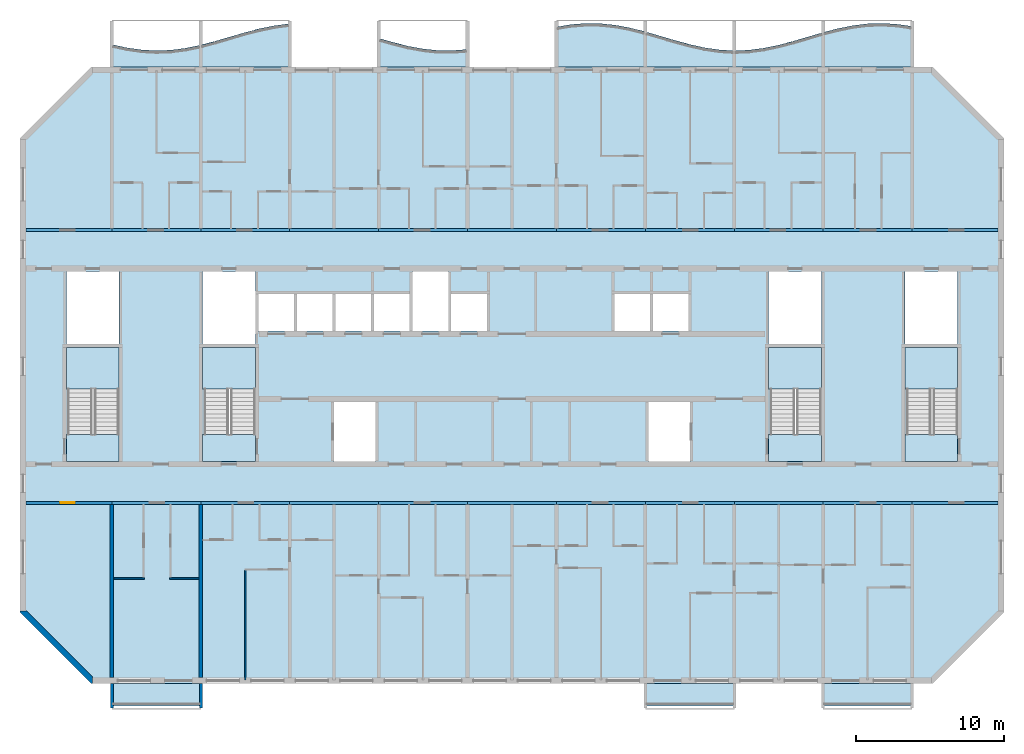
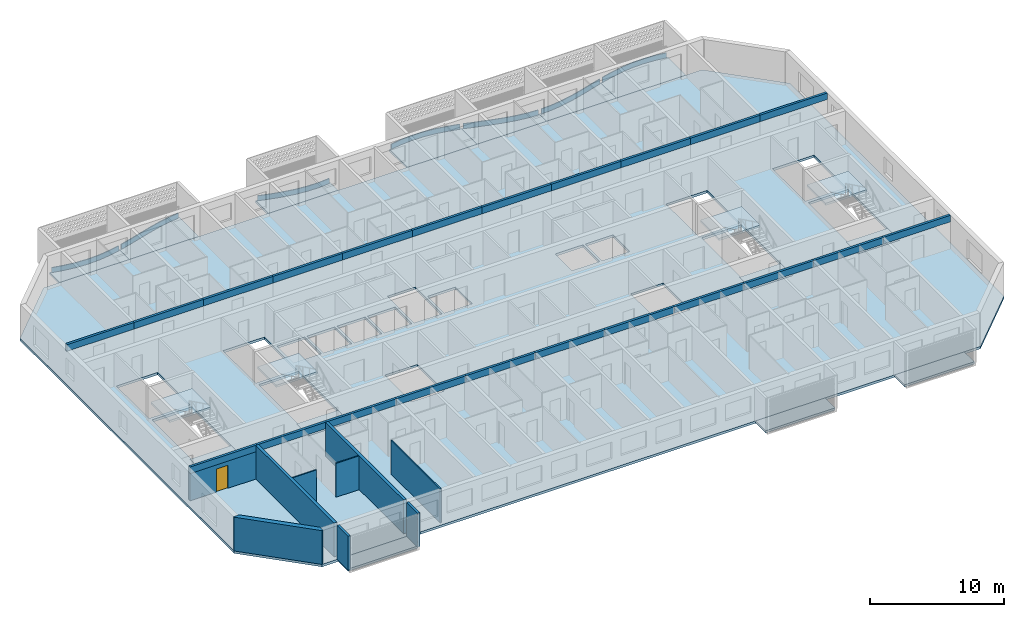
# One storey, part 1 of 28: 22 beams, 19 slabs, 9 walls, 7 plates, 1 door, 1 opening, 4 elements without a shape of their own.
"""IFC4 building model written with IfcOpenShell, lengths in metres."""

from ifc_helpers import new_model, si_unit, direction, frame, frame_2d, origin, origin_2d, place, context, subcontext, project, spatial, polyline, rectangle, outline, extrude, source, transform, mapped, material, layer, layer_set, material_profile, profile_set, type_object, element, fill, aggregate, save


model = new_model("IFC4")

# Units and contexts
model_context = context("Model", 3, precision=1e-05, world=origin(), true_north=direction((0.0, 1.0)))
body_context = subcontext(model_context, "Body", "Model", "MODEL_VIEW")
ifc_project = project(units=[si_unit("LENGTHUNIT", "METRE"), si_unit("AREAUNIT", "SQUARE_METRE"), si_unit("VOLUMEUNIT", "CUBIC_METRE"), si_unit("PLANEANGLEUNIT", "RADIAN"), si_unit("MASSUNIT", "GRAM", prefix="KILO")], contexts=[model_context])

# Site, building, storey
site_placement = place(None, origin())
site = spatial("IfcSite", under=ifc_project, at=site_placement, CompositionType="ELEMENT")
building_placement = place(site_placement, origin())
building = spatial("IfcBuilding", under=site, at=building_placement, Name="Poui Terraces", CompositionType="ELEMENT")
storey_placement = place(building_placement, frame((0.0, 0.0, 188.39990234375)))
storey = spatial("IfcBuildingStorey", under=building, at=storey_placement, Name="L52", CompositionType="ELEMENT", Elevation=188.39990234375)

# Beams
ifc_material_1 = material(Name="Concrete 50 MPa", Category="concrete")
ifc_material_profile = material_profile(ifc_material_1, rectangle(XDim=0.199951171875, YDim=0.60009765625, at=origin_2d()), Name="RC 200x600")
ifc_profile_set = profile_set([ifc_material_profile], Name="Concrete 50 MPa")
beam_type = type_object("IfcBeamType", Name="COUPLING BEAM 200x600 50MPa", PredefinedType="BEAM", material=ifc_profile_set)
shared_shape_1 = source(origin(), body_context, "Body", "SweptSolid", [
    extrude(rectangle(XDim=0.199951171875, YDim=0.60009765625, at=origin_2d()), origin(), (0.0, 0.0, 1.0), 5.800048828125),
])
for number, where, z_axis, x_axis, name in (
    (1, (18.199951171875, 12.0, 2.780029296875), (1.0, 0.0, 0.0), (0.0, 1.0, 0.0), "COUPLING BEAM LINE B BAY 1"),
    (2, (78.0, 12.0, 2.780029296875), (1.0, 0.0, 0.0), (0.0, 1.0, 0.0), "COUPLING BEAM LINE B BAY 11"),
    (3, (18.199951171875, 30.39990234375, 2.780029296875), (1.0, 0.0, 0.0), (0.0, 1.0, 0.0), "COUPLING BEAM LINE E BAY 1"),
    (4, (78.0, 30.39990234375, 2.780029296875), (1.0, 0.0, 0.0), (0.0, 1.0, 0.0), "COUPLING BEAM LINE E BAY 11"),
):
    element("IfcBeam", number, at=place(storey_placement, frame(where, z_axis=z_axis, x_axis=x_axis)), inside=storey, type_object=beam_type, Name=name, PredefinedType="BEAM", context=body_context, shape_type="MappedRepresentation", body=[
        mapped(shared_shape_1, transform((0.0, 0.0, 0.0))),
    ])
shared_shape_2 = source(origin(), body_context, "Body", "SweptSolid", [
    extrude(rectangle(XDim=0.199951171875, YDim=0.60009765625, at=origin_2d()), origin(), (0.0, 0.0, 1.0), 6.0),
])
for number, where, z_axis, x_axis, name in (
    (5, (24.0, 12.0, 2.780029296875), (1.0, 0.0, 0.0), (0.0, 1.0, 0.0), "COUPLING BEAM LINE B BAY 2"),
    (6, (30.0, 12.0, 2.780029296875), (1.0, 0.0, 0.0), (0.0, 1.0, 0.0), "COUPLING BEAM LINE B BAY 3"),
    (7, (36.0, 12.0, 2.780029296875), (1.0, 0.0, 0.0), (0.0, 1.0, 0.0), "COUPLING BEAM LINE B BAY 4"),
    (8, (42.0, 12.0, 2.780029296875), (1.0, 0.0, 0.0), (0.0, 1.0, 0.0), "COUPLING BEAM LINE B BAY 5"),
    (9, (48.0, 12.0, 2.780029296875), (1.0, 0.0, 0.0), (0.0, 1.0, 0.0), "COUPLING BEAM LINE B BAY 6"),
    (10, (54.0, 12.0, 2.780029296875), (1.0, 0.0, 0.0), (0.0, 1.0, 0.0), "COUPLING BEAM LINE B BAY 7"),
    (11, (60.0, 12.0, 2.780029296875), (1.0, 0.0, 0.0), (0.0, 1.0, 0.0), "COUPLING BEAM LINE B BAY 8"),
    (12, (66.0, 12.0, 2.780029296875), (1.0, 0.0, 0.0), (0.0, 1.0, 0.0), "COUPLING BEAM LINE B BAY 9"),
    (13, (72.0, 12.0, 2.780029296875), (1.0, 0.0, 0.0), (0.0, 1.0, 0.0), "COUPLING BEAM LINE B BAY 10"),
    (14, (24.0, 30.39990234375, 2.780029296875), (1.0, 0.0, 0.0), (0.0, 1.0, 0.0), "COUPLING BEAM LINE E BAY 2"),
    (15, (30.0, 30.39990234375, 2.780029296875), (1.0, 0.0, 0.0), (0.0, 1.0, 0.0), "COUPLING BEAM LINE E BAY 3"),
    (16, (36.0, 30.39990234375, 2.780029296875), (1.0, 0.0, 0.0), (0.0, 1.0, 0.0), "COUPLING BEAM LINE E BAY 4"),
    (17, (42.0, 30.39990234375, 2.780029296875), (1.0, 0.0, 0.0), (0.0, 1.0, 0.0), "COUPLING BEAM LINE E BAY 5"),
    (18, (48.0, 30.39990234375, 2.780029296875), (1.0, 0.0, 0.0), (0.0, 1.0, 0.0), "COUPLING BEAM LINE E BAY 6"),
    (19, (54.0, 30.39990234375, 2.780029296875), (1.0, 0.0, 0.0), (0.0, 1.0, 0.0), "COUPLING BEAM LINE E BAY 7"),
    (20, (60.0, 30.39990234375, 2.780029296875), (1.0, 0.0, 0.0), (0.0, 1.0, 0.0), "COUPLING BEAM LINE E BAY 8"),
    (21, (66.0, 30.39990234375, 2.780029296875), (1.0, 0.0, 0.0), (0.0, 1.0, 0.0), "COUPLING BEAM LINE E BAY 9"),
    (22, (72.0, 30.39990234375, 2.780029296875), (1.0, 0.0, 0.0), (0.0, 1.0, 0.0), "COUPLING BEAM LINE E BAY 10"),
):
    element("IfcBeam", number, at=place(storey_placement, frame(where, z_axis=z_axis, x_axis=x_axis)), inside=storey, type_object=beam_type, Name=name, PredefinedType="BEAM", context=body_context, shape_type="MappedRepresentation", body=[
        mapped(shared_shape_2, transform((0.0, 0.0, 0.0))),
    ])

# Slabs
ifc_material_2 = material(Name="Precast concrete 40 MPa", Category="concrete")
ifc_layer_1 = layer(ifc_material_2, 0.199951171875)
ifc_layer_set_1 = layer_set([ifc_layer_1], Name="Precast concrete 40 MPa")
slab_type_1 = type_object("IfcSlabType", Name="BALCONY SLAB 200", PredefinedType="FLOOR", material=ifc_layer_set_1)
slab_1_placement = place(storey_placement, frame((0.0, 0.0, -0.199951171875)))
element("IfcSlab", 23, at=slab_1_placement, inside=storey, type_object=slab_type_1, Name="BALCONY SLAB", PredefinedType="FLOOR", context=body_context, shape_type="SweptSolid", body=[
    extrude(outline(polyline([(24.0, 41.39990234375), (30.0, 41.39990234375), (30.0, 42.87939453125), (29.0, 42.6708984375), (28.0, 42.5400390625), (27.0, 42.500244140625), (26.0, 42.555908203125), (25.0, 42.70068359375), (24.0, 42.920166015625), (24.0, 41.39990234375)])), origin(), (0.0, 0.0, 1.0), 0.199951171875),
])
slab_2_placement = place(storey_placement, frame((0.0, 0.0, -0.199951171875)))
element("IfcSlab", 24, at=slab_2_placement, inside=storey, type_object=slab_type_1, Name="BALCONY SLAB", PredefinedType="FLOOR", context=body_context, shape_type="SweptSolid", body=[
    extrude(outline(polyline([(30.0, 41.39990234375), (36.0, 41.39990234375), (36.0, 44.31689453125), (35.0, 44.193115234375), (34.0, 43.990478515625), (33.0, 43.729736328125), (32.0, 43.4375), (31.0, 43.143798828125), (30.0, 42.87939453125), (30.0, 41.39990234375)])), origin(), (0.0, 0.0, 1.0), 0.199951171875),
])
slab_3_placement = place(storey_placement, frame((0.0, 0.0, -0.199951171875)))
element("IfcSlab", 25, at=slab_3_placement, inside=storey, type_object=slab_type_1, Name="BALCONY SLAB", PredefinedType="FLOOR", context=body_context, shape_type="SweptSolid", body=[
    extrude(outline(polyline([(42.0, 41.39990234375), (48.0, 41.39990234375), (48.0, 42.5947265625), (47.0, 42.50830078125), (46.0, 42.516357421875), (45.0, 42.617919921875), (44.0, 42.802490234375), (43.0, 43.051025390625), (42.0, 43.338134765625), (42.0, 41.39990234375)])), origin(), (0.0, 0.0, 1.0), 0.199951171875),
])
slab_4_placement = place(storey_placement, frame((0.0, 0.0, -0.199951171875)))
element("IfcSlab", 26, at=slab_4_placement, inside=storey, type_object=slab_type_1, Name="BALCONY SLAB", PredefinedType="FLOOR", context=body_context, shape_type="SweptSolid", body=[
    extrude(outline(polyline([(54.0, 41.39990234375), (60.0, 41.39990234375), (60.0, 43.776123046875), (59.0, 44.029052734375), (58.0, 44.2197265625), (57.0, 44.32861328125), (56.0, 44.3447265625), (55.0, 44.265869140625), (54.0, 44.1005859375), (54.0, 41.39990234375)])), origin(), (0.0, 0.0, 1.0), 0.199951171875),
])
slab_5_placement = place(storey_placement, frame((0.0, 0.0, -0.199951171875)))
element("IfcSlab", 27, at=slab_5_placement, inside=storey, type_object=slab_type_1, Name="BALCONY SLAB", PredefinedType="FLOOR", context=body_context, shape_type="SweptSolid", body=[
    extrude(outline(polyline([(60.0, 41.39990234375), (66.0, 41.39990234375), (66.0, 42.500244140625), (65.0, 42.555908203125), (64.0, 42.70068359375), (63.0, 42.920166015625), (62.0, 43.191650390625), (61.0, 43.487060546875), (60.0, 43.776123046875), (60.0, 41.39990234375)])), origin(), (0.0, 0.0, 1.0), 0.199951171875),
])
slab_6_placement = place(storey_placement, frame((0.0, 0.0, -0.199951171875)))
element("IfcSlab", 28, at=slab_6_placement, inside=storey, type_object=slab_type_1, Name="BALCONY SLAB", PredefinedType="FLOOR", context=body_context, shape_type="SweptSolid", body=[
    extrude(outline(polyline([(66.0, 41.39990234375), (72.0, 41.39990234375), (72.0, 43.729736328125), (71.0, 43.4375), (70.0, 43.143798828125), (69.0, 42.87939453125), (68.0, 42.6708984375), (67.0, 42.5400390625), (66.0, 42.500244140625), (66.0, 41.39990234375)])), origin(), (0.0, 0.0, 1.0), 0.199951171875),
])
slab_7_placement = place(storey_placement, frame((0.0, 0.0, -0.199951171875)))
element("IfcSlab", 29, at=slab_7_placement, inside=storey, type_object=slab_type_1, Name="BALCONY SLAB", PredefinedType="FLOOR", context=body_context, shape_type="SweptSolid", body=[
    extrude(outline(polyline([(72.0, 41.39990234375), (78.0, 41.39990234375), (78.0, 44.133544921875), (77.0, 44.285400390625), (76.0, 44.3486328125), (75.0, 44.31689453125), (74.0, 44.193115234375), (73.0, 43.990478515625), (72.0, 43.729736328125), (72.0, 41.39990234375)])), origin(), (0.0, 0.0, 1.0), 0.199951171875),
])

# Stair, slabs
stair_type = type_object("IfcStairType", Name="EXIT STAIR 1650 50 MPA", PredefinedType="HALF_TURN_STAIR", material=ifc_material_1)
stair_1_placement = place(storey_placement, origin())
stair_1 = element("IfcStair", 30, at=stair_1_placement, inside=storey, type_object=stair_type, Name="L52 CORE STAIR EAST", PredefinedType="HALF_TURN_STAIR")
ifc_layer_2 = layer(ifc_material_1, 0.199951171875)
ifc_layer_set_2 = layer_set([ifc_layer_2], Name="Concrete 50 MPa")
slab_type_2 = type_object("IfcSlabType", Name="STAIR LANDING 200 50 MPA", PredefinedType="LANDING", material=ifc_layer_set_2)
slab_8_placement = place(storey_placement, frame((0.0, 0.0, 1.449951171875)))
slab_8 = element("IfcSlab", 31, at=slab_8_placement, type_object=slab_type_2, Name="ST-CE landing 1", PredefinedType="LANDING", context=body_context, shape_type="SweptSolid", body=[
    extrude(outline(polyline([(68.324951171875, 19.679931640625), (71.875, 19.679931640625), (71.875, 22.47509765625), (68.324951171875, 22.47509765625), (68.324951171875, 19.679931640625)])), origin(), (0.0, 0.0, 1.0), 0.2001953125),
])
slab_9_placement = place(storey_placement, frame((0.0, 0.0, -0.199951171875)))
slab_9 = element("IfcSlab", 32, at=slab_9_placement, type_object=slab_type_2, Name="ST-CE landing 2", PredefinedType="LANDING", context=body_context, shape_type="SweptSolid", body=[
    extrude(outline(polyline([(68.324951171875, 14.800048828125), (71.875, 14.800048828125), (71.875, 16.60009765625), (68.324951171875, 16.60009765625), (68.324951171875, 14.800048828125)])), origin(), (0.0, 0.0, 1.0), 0.199951171875),
])
aggregate(stair_1, [slab_8, slab_9])

stair_2_placement = place(storey_placement, origin())
stair_2 = element("IfcStair", 33, at=stair_2_placement, inside=storey, type_object=stair_type, Name="L52 CORE STAIR WEST", PredefinedType="HALF_TURN_STAIR")
slab_10_placement = place(storey_placement, frame((0.0, 0.0, 1.449951171875)))
slab_10 = element("IfcSlab", 34, at=slab_10_placement, type_object=slab_type_2, Name="ST-CW landing 1", PredefinedType="LANDING", context=body_context, shape_type="SweptSolid", body=[
    extrude(outline(polyline([(30.125, 19.679931640625), (33.675048828125, 19.679931640625), (33.675048828125, 22.47509765625), (30.125, 22.47509765625), (30.125, 19.679931640625)])), origin(), (0.0, 0.0, 1.0), 0.2001953125),
])
slab_11_placement = place(storey_placement, frame((0.0, 0.0, -0.199951171875)))
slab_11 = element("IfcSlab", 35, at=slab_11_placement, type_object=slab_type_2, Name="ST-CW landing 2", PredefinedType="LANDING", context=body_context, shape_type="SweptSolid", body=[
    extrude(outline(polyline([(30.125, 14.800048828125), (33.675048828125, 14.800048828125), (33.675048828125, 16.60009765625), (30.125, 16.60009765625), (30.125, 14.800048828125)])), origin(), (0.0, 0.0, 1.0), 0.199951171875),
])
aggregate(stair_2, [slab_10, slab_11])

stair_3_placement = place(storey_placement, origin())
stair_3 = element("IfcStair", 36, at=stair_3_placement, inside=storey, type_object=stair_type, Name="L52 TIP STAIR EAST", PredefinedType="HALF_TURN_STAIR")
slab_12_placement = place(storey_placement, frame((0.0, 0.0, 1.449951171875)))
slab_12 = element("IfcSlab", 37, at=slab_12_placement, type_object=slab_type_2, Name="ST-E landing 1", PredefinedType="LANDING", context=body_context, shape_type="SweptSolid", body=[
    extrude(outline(polyline([(77.52490234375, 19.679931640625), (81.074951171875, 19.679931640625), (81.074951171875, 22.47509765625), (77.52490234375, 22.47509765625), (77.52490234375, 19.679931640625)])), origin(), (0.0, 0.0, 1.0), 0.2001953125),
])
slab_13_placement = place(storey_placement, frame((0.0, 0.0, -0.199951171875)))
slab_13 = element("IfcSlab", 38, at=slab_13_placement, type_object=slab_type_2, Name="ST-E landing 2", PredefinedType="LANDING", context=body_context, shape_type="SweptSolid", body=[
    extrude(outline(polyline([(77.52490234375, 14.800048828125), (81.074951171875, 14.800048828125), (81.074951171875, 16.60009765625), (77.52490234375, 16.60009765625), (77.52490234375, 14.800048828125)])), origin(), (0.0, 0.0, 1.0), 0.199951171875),
])
aggregate(stair_3, [slab_12, slab_13])

stair_4_placement = place(storey_placement, origin())
stair_4 = element("IfcStair", 39, at=stair_4_placement, inside=storey, type_object=stair_type, Name="L52 TIP STAIR WEST", PredefinedType="HALF_TURN_STAIR")
slab_14_placement = place(storey_placement, frame((0.0, 0.0, 1.449951171875)))
slab_14 = element("IfcSlab", 40, at=slab_14_placement, type_object=slab_type_2, Name="ST-W landing 1", PredefinedType="LANDING", context=body_context, shape_type="SweptSolid", body=[
    extrude(outline(polyline([(20.925048828125, 19.679931640625), (24.47509765625, 19.679931640625), (24.47509765625, 22.47509765625), (20.925048828125, 22.47509765625), (20.925048828125, 19.679931640625)])), origin(), (0.0, 0.0, 1.0), 0.2001953125),
])
slab_15_placement = place(storey_placement, frame((0.0, 0.0, -0.199951171875)))
slab_15 = element("IfcSlab", 41, at=slab_15_placement, type_object=slab_type_2, Name="ST-W landing 2", PredefinedType="LANDING", context=body_context, shape_type="SweptSolid", body=[
    extrude(outline(polyline([(20.925048828125, 14.800048828125), (24.47509765625, 14.800048828125), (24.47509765625, 16.60009765625), (20.925048828125, 16.60009765625), (20.925048828125, 14.800048828125)])), origin(), (0.0, 0.0, 1.0), 0.199951171875),
])
aggregate(stair_4, [slab_14, slab_15])

# Plates
ifc_layer_3 = layer(ifc_material_2, 0.080078125)
ifc_layer_set_3 = layer_set([ifc_layer_3], Name="Precast concrete 40 MPa")
plate_type = type_object("IfcPlateType", Name="SUNSHADE UPSTAND 80", PredefinedType="SHEET", material=ifc_layer_set_3)
plate_1_placement = place(storey_placement, origin())
element("IfcPlate", 42, at=plate_1_placement, inside=storey, type_object=plate_type, Name="SUNSHADE UPSTAND", PredefinedType="SHEET", context=body_context, shape_type="SweptSolid", body=[
    extrude(outline(polyline([(25.007080078125, 42.695068359375), (24.13330078125, 42.883544921875), (24.11669921875, 42.805419921875), (24.992919921875, 42.6162109375), (25.99609375, 42.470947265625), (26.999755859375, 42.415283203125), (28.00341796875, 42.455078125), (29.006591796875, 42.58642578125), (29.883056640625, 42.765380859375), (29.866943359375, 42.843994140625), (28.993408203125, 42.665283203125), (27.99658203125, 42.534912109375), (27.000244140625, 42.495361328125), (26.00390625, 42.550537109375), (25.007080078125, 42.695068359375)])), origin(), (0.0, 0.0, 1.0), 0.4501953125),
])
plate_2_placement = place(storey_placement, origin())
element("IfcPlate", 43, at=plate_2_placement, inside=storey, type_object=plate_type, Name="SUNSHADE UPSTAND", PredefinedType="SHEET", context=body_context, shape_type="SweptSolid", body=[
    extrude(outline(polyline([(30.9892578125, 43.137451171875), (30.11474609375, 42.9033203125), (30.13525390625, 42.826171875), (31.0107421875, 43.060302734375), (32.01123046875, 43.35400390625), (33.0107421875, 43.64599609375), (34.009033203125, 43.906494140625), (35.006591796875, 44.10888671875), (35.880126953125, 44.2216796875), (35.869873046875, 44.30078125), (35.8427734375, 44.29736328125), (34.993408203125, 44.187744140625), (33.990966796875, 43.984619140625), (32.9892578125, 43.72314453125), (31.98876953125, 43.430908203125), (30.9892578125, 43.137451171875)])), origin(), (0.0, 0.0, 1.0), 0.4501953125),
])
plate_3_placement = place(storey_placement, origin())
element("IfcPlate", 44, at=plate_3_placement, inside=storey, type_object=plate_type, Name="SUNSHADE UPSTAND", PredefinedType="SHEET", context=body_context, shape_type="SweptSolid", body=[
    extrude(outline(polyline([(43.01025390625, 43.044677734375), (42.135986328125, 43.294677734375), (42.114013671875, 43.2177734375), (42.98974609375, 42.96728515625), (43.991455078125, 42.71826171875), (44.994384765625, 42.533203125), (45.997802734375, 42.431396484375), (47.00146484375, 42.42333984375), (47.878173828125, 42.494140625), (47.871826171875, 42.57373046875), (46.99853515625, 42.50341796875), (46.002197265625, 42.51123046875), (45.005615234375, 42.6123046875), (44.008544921875, 42.79638671875), (43.01025390625, 43.044677734375)])), origin(), (0.0, 0.0, 1.0), 0.4501953125),
])
plate_4_placement = place(storey_placement, origin())
element("IfcPlate", 45, at=plate_4_placement, inside=storey, type_object=plate_type, Name="SUNSHADE UPSTAND", PredefinedType="SHEET", context=body_context, shape_type="SweptSolid", body=[
    extrude(outline(polyline([(54.995361328125, 44.2607421875), (54.11865234375, 44.1201171875), (54.13134765625, 44.041015625), (55.004638671875, 44.18115234375), (56.001220703125, 44.259521484375), (56.99755859375, 44.243896484375), (57.994140625, 44.13525390625), (58.991455078125, 43.945068359375), (59.865234375, 43.7265625), (59.884765625, 43.80419921875), (59.008544921875, 44.023193359375), (58.005859375, 44.21435546875), (57.00244140625, 44.32373046875), (55.998779296875, 44.339599609375), (54.995361328125, 44.2607421875)])), origin(), (0.0, 0.0, 1.0), 0.4501953125),
])
plate_5_placement = place(storey_placement, origin())
element("IfcPlate", 46, at=plate_5_placement, inside=storey, type_object=plate_type, Name="SUNSHADE UPSTAND", PredefinedType="SHEET", context=body_context, shape_type="SweptSolid", body=[
    extrude(outline(polyline([(61.01123046875, 43.48046875), (60.13623046875, 43.73486328125), (60.11376953125, 43.657958984375), (60.98876953125, 43.40380859375), (61.989013671875, 43.108154296875), (62.990478515625, 42.836181640625), (63.992919921875, 42.6162109375), (64.995849609375, 42.470947265625), (65.87255859375, 42.417236328125), (65.87744140625, 42.4970703125), (65.004150390625, 42.550537109375), (64.007080078125, 42.695068359375), (63.009521484375, 42.9140625), (62.010986328125, 43.18505859375), (61.01123046875, 43.48046875)])), origin(), (0.0, 0.0, 1.0), 0.4501953125),
])
plate_6_placement = place(storey_placement, origin())
element("IfcPlate", 47, at=plate_6_placement, inside=storey, type_object=plate_type, Name="SUNSHADE UPSTAND", PredefinedType="SHEET", context=body_context, shape_type="SweptSolid", body=[
    extrude(outline(polyline([(66.99658203125, 42.534912109375), (66.123291015625, 42.4951171875), (66.126708984375, 42.4150390625), (67.00341796875, 42.455078125), (68.006591796875, 42.58642578125), (69.00927734375, 42.79541015625), (70.0107421875, 43.060302734375), (71.01123046875, 43.35400390625), (71.88623046875, 43.61083984375), (71.86376953125, 43.6875), (70.98876953125, 43.430908203125), (69.9892578125, 43.137451171875), (68.99072265625, 42.873291015625), (67.993408203125, 42.665283203125), (66.99658203125, 42.534912109375)])), origin(), (0.0, 0.0, 1.0), 0.4501953125),
])
plate_7_placement = place(storey_placement, origin())
element("IfcPlate", 48, at=plate_7_placement, inside=storey, type_object=plate_type, Name="SUNSHADE UPSTAND", PredefinedType="SHEET", context=body_context, shape_type="SweptSolid", body=[
    extrude(outline(polyline([(72.990966796875, 43.984619140625), (72.114990234375, 43.75830078125), (72.135009765625, 43.680908203125), (73.009033203125, 43.906494140625), (74.00634765625, 44.108642578125), (75.003173828125, 44.23193359375), (75.99951171875, 44.263671875), (76.995849609375, 44.20068359375), (77.869140625, 44.072509765625), (77.880859375, 44.151611328125), (77.004150390625, 44.2802734375), (76.00048828125, 44.34375), (74.996826171875, 44.311767578125), (73.99365234375, 44.187744140625), (72.990966796875, 43.984619140625)])), origin(), (0.0, 0.0, 1.0), 0.4501953125),
])

# Slabs
ifc_material_3 = material(Name="Concrete 40 MPa", Category="concrete")
ifc_layer_4 = layer(ifc_material_3, 0.219970703125)
ifc_layer_set_4 = layer_set([ifc_layer_4], Name="Concrete 40 MPa")
slab_type_3 = type_object("IfcSlabType", Name="FLOOR SLAB 220", PredefinedType="FLOOR", material=ifc_layer_set_4)
shared_shape_3 = source(origin(), body_context, "Body", "SweptSolid", [
    extrude(outline(polyline([(0.0, 0.0), (4.800048828125, -4.800048828125), (61.599853515625, -4.800048828125), (66.39990234375, 0.0), (66.39990234375, 32.0), (61.599853515625, 36.7998046875), (4.800048828125, 36.7998046875), (0.0, 32.0), (0.0, 0.0)]), holes=[polyline([(21.199951171875, 10.199951171875), (21.199951171875, 14.199951171875), (24.0, 14.199951171875), (24.0, 10.199951171875), (21.199951171875, 10.199951171875)]), polyline([(3.224853515625, 17.849853515625), (6.675048828125, 17.849853515625), (6.675048828125, 12.0), (6.675048828125, 10.199951171875), (3.125, 10.199951171875), (3.125, 12.0), (3.224853515625, 12.0), (3.224853515625, 17.849853515625)]), polyline([(12.425048828125, 17.849853515625), (15.875, 17.849853515625), (15.875, 12.0), (15.875, 10.199951171875), (12.324951171875, 10.199951171875), (12.324951171875, 12.0), (12.425048828125, 12.0), (12.425048828125, 17.849853515625)]), polyline([(16.099853515625, 19.0), (16.099853515625, 21.5), (18.5, 21.5), (18.5, 19.0), (16.099853515625, 19.0)]), polyline([(18.699951171875, 19.0), (18.699951171875, 21.5), (21.099853515625, 21.5), (21.099853515625, 19.0), (18.699951171875, 19.0)]), polyline([(21.300048828125, 19.0), (21.300048828125, 21.5), (23.699951171875, 21.5), (23.699951171875, 19.0), (21.300048828125, 19.0)]), polyline([(23.89990234375, 19.0), (23.89990234375, 21.5), (26.300048828125, 21.5), (26.300048828125, 19.0), (23.89990234375, 19.0)]), polyline([(3.125, 23.0), (6.675048828125, 23.0), (6.675048828125, 18.125), (3.125, 18.125), (3.125, 23.0)]), polyline([(12.324951171875, 23.0), (15.875, 23.0), (15.875, 18.125), (12.324951171875, 18.125), (12.324951171875, 23.0)]), polyline([(42.39990234375, 10.199951171875), (42.39990234375, 14.199951171875), (45.199951171875, 14.199951171875), (45.199951171875, 10.199951171875), (42.39990234375, 10.199951171875)]), polyline([(50.625, 17.849853515625), (54.074951171875, 17.849853515625), (54.074951171875, 12.0), (54.074951171875, 10.199951171875), (50.52490234375, 10.199951171875), (50.52490234375, 12.0), (50.625, 12.0), (50.625, 17.849853515625)]), polyline([(59.824951171875, 17.849853515625), (63.27490234375, 17.849853515625), (63.27490234375, 12.0), (63.27490234375, 10.199951171875), (59.724853515625, 10.199951171875), (59.724853515625, 12.0), (59.824951171875, 12.0), (59.824951171875, 17.849853515625)]), polyline([(29.099853515625, 19.0), (29.099853515625, 21.5), (31.5, 21.5), (31.5, 19.0), (29.099853515625, 19.0)]), polyline([(40.099853515625, 19.0), (40.099853515625, 21.5), (42.5, 21.5), (42.5, 19.0), (40.099853515625, 19.0)]), polyline([(42.699951171875, 19.0), (42.699951171875, 21.5), (45.099853515625, 21.5), (45.099853515625, 19.0), (42.699951171875, 19.0)]), polyline([(50.52490234375, 18.125), (50.52490234375, 23.0), (54.074951171875, 23.0), (54.074951171875, 18.125), (50.52490234375, 18.125)]), polyline([(59.724853515625, 23.0), (63.27490234375, 23.0), (63.27490234375, 18.125), (59.724853515625, 18.125), (59.724853515625, 23.0)]), polyline([(26.5, 23.0), (28.89990234375, 23.0), (28.89990234375, 19.0), (26.5, 19.0), (26.5, 23.0)])]), origin(), (0.0, 0.0, 1.0), 0.219970703125),
])
slab_16_placement = place(storey_placement, frame((17.800048828125, 4.60009765625, -0.219970703125)))
element("IfcSlab", 49, at=slab_16_placement, inside=storey, type_object=slab_type_3, Name="FLOOR SLAB", PredefinedType="FLOOR", context=body_context, shape_type="MappedRepresentation", body=[
    mapped(shared_shape_3, transform((0.0, 0.0, 0.0))),
])
ifc_layer_5 = layer(ifc_material_2, 0.199951171875)
ifc_layer_set_5 = layer_set([ifc_layer_5], Name="Precast concrete 40 MPa")
slab_type_4 = type_object("IfcSlabType", Name="REAR BALCONY SLAB 200", PredefinedType="FLOOR", material=ifc_layer_set_5)
shared_shape_4 = source(origin(), body_context, "Body", "SweptSolid", [
    extrude(outline(polyline([(0.0, 0.0), (6.0, 0.0), (6.0, 1.5), (0.0, 1.5), (0.0, 0.0)])), origin(), (0.0, 0.0, 1.0), 0.199951171875),
])
for number, where, name in (
    (50, (24.0, -1.699951171875, -0.199951171875), "REAR BALCONY SLAB"),
    (51, (60.0, -1.699951171875, -0.199951171875), "REAR BALCONY SLAB"),
    (52, (72.0, -1.699951171875, -0.199951171875), "REAR BALCONY SLAB"),
):
    element("IfcSlab", number, at=place(storey_placement, frame(where)), inside=storey, type_object=slab_type_4, Name=name, PredefinedType="FLOOR", context=body_context, shape_type="MappedRepresentation", body=[
        mapped(shared_shape_4, transform((0.0, 0.0, 0.0))),
    ])

# Wall, opening, door
ifc_layer_6 = layer(ifc_material_1, 0.199951171875)
ifc_layer_set_6 = layer_set([ifc_layer_6], Name="Concrete 50 MPa")
wall_type_1 = type_object("IfcWallType", Name="CORRIDOR WALL 200 50MPa", PredefinedType="SHEAR", material=ifc_layer_set_6)
wall_1_placement = place(storey_placement, frame((18.199951171875, 12.0, 0.0), z_axis=(0.0, 0.0, 1.0), x_axis=(1.0, 0.0, 0.0)))
wall_1 = element("IfcWall", 53, at=wall_1_placement, inside=storey, type_object=wall_type_1, Name="CORRIDOR WALL LINE B BAY 1", PredefinedType="SHEAR", context=body_context, shape_type="SweptSolid", body=[
    extrude(rectangle(XDim=5.800048828125, YDim=0.199951171875, at=frame_2d((2.89990234375, 0.0))), origin(), (0.0, 0.0, 1.0), 2.47998046875),
])
opening_placement = place(wall_1_placement, frame((2.300048828125, 0.0, 0.0)))
opening = element("IfcOpeningElement", 54, at=opening_placement, cuts=wall_1, Name="Opening D100", PredefinedType="OPENING", context=body_context, shape_type="SweptSolid", body=[
    extrude(rectangle(XDim=1.0, YDim=2.10009765625, at=frame_2d((0.5, 1.050048828125))), frame((0.0, 0.10986328125, 0.0), z_axis=(0.0, -1.0, 0.0), x_axis=(1.0, 0.0, 0.0)), (0.0, 0.0, 1.0), 0.219970703125),
])
ifc_material_4 = material(Name="Solid core timber door", Category="wood")
door_type = type_object("IfcDoorType", Name="ACCESSIBLE INTERNAL DOOR 1000 X 2100", OperationType="NOTDEFINED", PredefinedType="DOOR", material=ifc_material_4)
door_placement = place(opening_placement, frame((1.0, 0.0, 0.0), z_axis=(0.0, 0.0, 1.0), x_axis=(-1.0, 0.0, 0.0)))
door = element("IfcDoor", 55, at=door_placement, inside=storey, type_object=door_type, Name="ACCESSIBLE INTERNAL DOOR 064", OperationType="SINGLE_SWING_RIGHT", OverallHeight=2.10009765625, OverallWidth=1.0, PredefinedType="DOOR", context=body_context, shape_type="SweptSolid", body=[
    extrude(rectangle(XDim=1.0, YDim=2.10009765625, at=frame_2d((0.5, 1.050048828125))), frame((0.0, 0.02490234375, 0.0), z_axis=(0.0, -1.0, 0.0), x_axis=(1.0, 0.0, 0.0)), (0.0, 0.0, 1.0), 0.050048828125),
])
fill(opening, door)

# Walls
ifc_layer_7 = layer(ifc_material_1, 0.25)
ifc_layer_set_7 = layer_set([ifc_layer_7], Name="Concrete 50 MPa")
wall_type_2 = type_object("IfcWallType", Name="CROSS WALL 250 50MPa", PredefinedType="SHEAR", material=ifc_layer_set_7)
for number, where, z_axis, x_axis, name in (
    (56, (24.0, 0.199951171875, 0.0), (0.0, 0.0, 1.0), (0.0, 1.0, 0.0), "CROSS WALL LINE 5 SOUTH"),
    (57, (30.0, 0.199951171875, 0.0), (0.0, 0.0, 1.0), (0.0, 1.0, 0.0), "CROSS WALL LINE 6 SOUTH"),
):
    element("IfcWall", number, at=place(storey_placement, frame(where, z_axis=z_axis, x_axis=x_axis)), inside=storey, type_object=wall_type_2, Name=name, PredefinedType="SHEAR", context=body_context, shape_type="SweptSolid", body=[
        extrude(rectangle(XDim=11.699951171875, YDim=0.25, at=frame_2d((5.85009765625, 0.0))), origin(), (0.0, 0.0, 1.0), 3.080078125),
    ])
ifc_material_5 = material(Name="Plasterboard partition")
ifc_layer_8 = layer(ifc_material_5, 0.10009765625)
ifc_layer_set_8 = layer_set([ifc_layer_8], Name="Plasterboard partition")
wall_type_3 = type_object("IfcWallType", Name="FLAT PARTITION 100", PredefinedType="PARTITIONING", material=ifc_layer_set_8)
wall_2_placement = place(storey_placement, frame((24.135009765625, 6.89990234375, 0.0), z_axis=(0.0, 0.0, 1.0), x_axis=(1.0, 0.0, 0.0)))
element("IfcWall", 58, at=wall_2_placement, inside=storey, type_object=wall_type_3, Name="FLAT PARTITION 100", PredefinedType="PARTITIONING", context=body_context, shape_type="SweptSolid", body=[
    extrude(rectangle(XDim=2.06494140625, YDim=0.10009765625, at=frame_2d((1.032470703125, 0.0))), origin(), (0.0, 0.0, 1.0), 3.080078125),
])
wall_3_placement = place(storey_placement, frame((27.89990234375, 6.89990234375, 0.0), z_axis=(0.0, 0.0, 1.0), x_axis=(1.0, 0.0, 0.0)))
element("IfcWall", 59, at=wall_3_placement, inside=storey, type_object=wall_type_3, Name="FLAT PARTITION 100", PredefinedType="PARTITIONING", context=body_context, shape_type="SweptSolid", body=[
    extrude(rectangle(XDim=1.965087890625, YDim=0.10009765625, at=frame_2d((0.982421875, 0.0))), origin(), (0.0, 0.0, 1.0), 3.080078125),
])
wall_4_placement = place(storey_placement, frame((33.0, 0.06005859375, 0.0), z_axis=(0.0, 0.0, 1.0), x_axis=(0.0, 1.0, 0.0)))
element("IfcWall", 60, at=wall_4_placement, inside=storey, type_object=wall_type_3, Name="FLAT PARTITION 100", PredefinedType="PARTITIONING", context=body_context, shape_type="SweptSolid", body=[
    extrude(rectangle(XDim=7.389892578125, YDim=0.10009765625, at=frame_2d((3.69482421875, 0.0))), origin(), (0.0, 0.0, 1.0), 3.080078125),
])
ifc_layer_9 = layer(ifc_material_2, 0.39990234375)
ifc_layer_set_9 = layer_set([ifc_layer_9], Name="Precast concrete 40 MPa")
wall_type_4 = type_object("IfcWallType", Name="TERRACOTTA CLAD CHAMFER WALL 400", PredefinedType="STANDARD", material=ifc_layer_set_9)
wall_5_placement = place(storey_placement, origin())
element("IfcWall", 61, at=wall_5_placement, inside=storey, type_object=wall_type_4, Name="CHAMFER WALL CH07", PredefinedType="STANDARD", context=body_context, shape_type="SweptSolid", body=[
    extrude(outline(polyline([(17.800048828125, 4.682861328125), (17.800048828125, 4.60009765625), (22.60009765625, -0.199951171875), (22.682861328125, -0.199951171875), (22.682861328125, 0.28271484375), (18.28271484375, 4.682861328125), (17.800048828125, 4.682861328125)])), origin(), (0.0, 0.0, 1.0), 3.080078125),
])
ifc_layer_10 = layer(ifc_material_2, 0.199951171875)
ifc_layer_set_10 = layer_set([ifc_layer_10], Name="Precast concrete 40 MPa")
wall_type_5 = type_object("IfcWallType", Name="REAR FIN 200", PredefinedType="STANDARD", material=ifc_layer_set_10)
shared_shape_5 = source(origin(), body_context, "Body", "SweptSolid", [
    extrude(outline(polyline([(0.0, 0.0), (0.2001953125, 0.0), (0.2001953125, 1.650146484375), (0.0, 1.650146484375), (0.0, 0.0)])), origin(), (0.0, 0.0, 1.0), 3.10009765625),
])
for number, where, name in (
    (62, (23.89990234375, -1.85009765625, 0.0), "REAR FIN"),
    (63, (29.89990234375, -1.85009765625, 0.0), "REAR FIN"),
):
    element("IfcWall", number, at=place(storey_placement, frame(where)), inside=storey, type_object=wall_type_5, Name=name, PredefinedType="STANDARD", context=body_context, shape_type="MappedRepresentation", body=[
        mapped(shared_shape_5, transform((0.0, 0.0, 0.0))),
    ])

save(model, "model.ifc")
